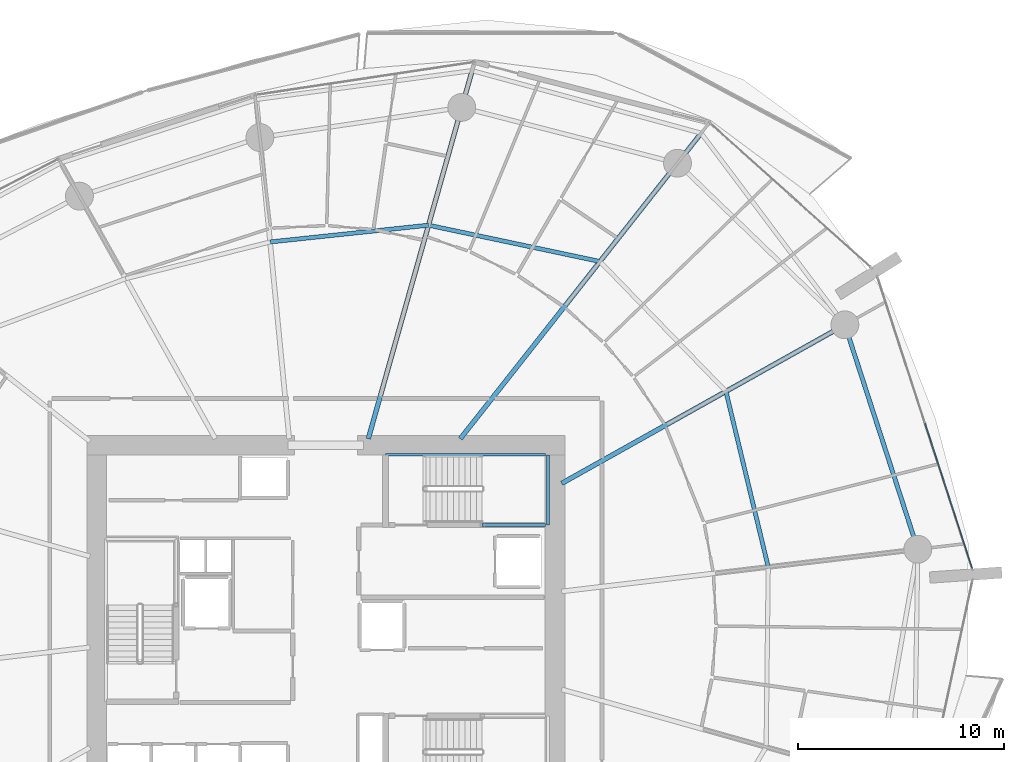
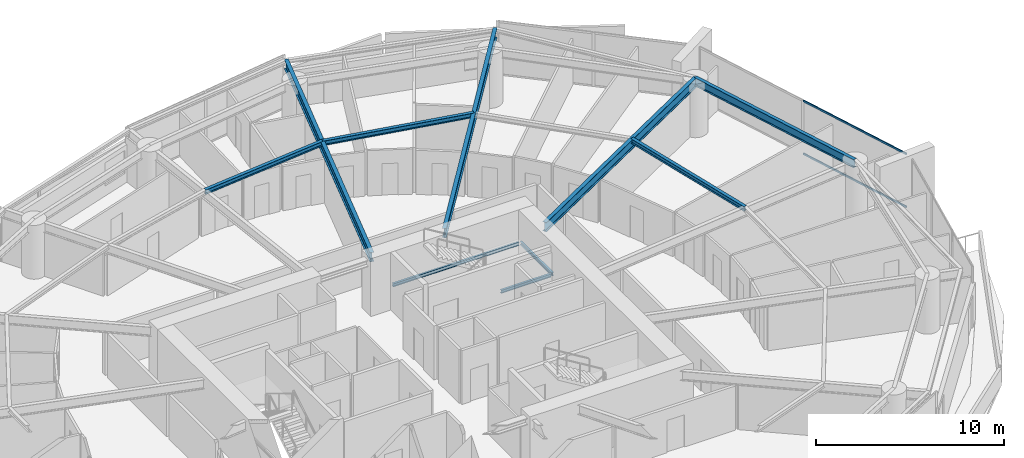
# One storey, part 14 of 31: 10 beams, 2 members, 1 element without a shape of its own.
"""IFC4 building model written with IfcOpenShell, lengths in metres."""

from ifc_helpers import new_model, si_unit, direction, frame, origin, origin_2d, place, context, subcontext, project, spatial, rectangle, i_section, extrude, material, layer, layer_set, material_profile, profile_set, type_object, element, aggregate, save


model = new_model("IFC4")

# Units and contexts
model_context = context("Model", 3, precision=1e-05, world=origin(), true_north=direction((0.0, 1.0)))
body_context = subcontext(model_context, "Body", "Model", "MODEL_VIEW")
ifc_project = project(units=[si_unit("LENGTHUNIT", "METRE"), si_unit("AREAUNIT", "SQUARE_METRE"), si_unit("VOLUMEUNIT", "CUBIC_METRE"), si_unit("PLANEANGLEUNIT", "RADIAN"), si_unit("MASSUNIT", "GRAM", prefix="KILO")], contexts=[model_context])

# Site, building, storey
site_placement = place(None, origin())
site = spatial("IfcSite", under=ifc_project, at=site_placement, CompositionType="ELEMENT")
building_placement = place(site_placement, origin())
building = spatial("IfcBuilding", under=site, at=building_placement, Name="Kazma Halo Residences", CompositionType="ELEMENT")
storey_placement = place(building_placement, frame((0.0, 0.0, 45.14990234375)))
storey = spatial("IfcBuildingStorey", under=building, at=storey_placement, Name="L10", CompositionType="ELEMENT", Elevation=45.14990234375)

# Beams
ifc_material_1 = material(Name="Steel S355", Category="steel")
ifc_material_profile_1 = material_profile(ifc_material_1, i_section(OverallWidth=0.22802734375, OverallDepth=0.60791015625, WebThickness=0.01123046875, FlangeThickness=0.017333984375, FilletRadius=0.01806640625, at=origin_2d()), Name="W610x113")
ifc_profile_set_1 = profile_set([ifc_material_profile_1], Name="Steel S355")
beam_type_1 = type_object("IfcBeamType", Name="BM-RAD-W610", PredefinedType="BEAM", material=ifc_profile_set_1)
beam_1_placement = place(storey_placement, frame((59.85009765625, 48.63623046875, 3.196044921875), z_axis=(0.872489859828, 0.48863221803, 0.0), x_axis=(-0.48863221803, 0.872489859828, 0.0)))
element("IfcBeam", 1, at=beam_1_placement, inside=storey, type_object=beam_type_1, Name="L10 radial floor beam 01", PredefinedType="BEAM", context=body_context, shape_type="SweptSolid", body=[
    extrude(i_section(OverallWidth=0.22802734375, OverallDepth=0.60791015625, WebThickness=0.01123046875, FlangeThickness=0.017333984375, FilletRadius=0.01806640625, at=origin_2d()), origin(), (0.0, 0.0, 1.0), 15.71923828125),
])
beam_2_placement = place(storey_placement, frame((54.9375, 50.800048828125, 3.196044921875), z_axis=(0.619092154321, 0.785318345932, 0.0), x_axis=(-0.785318345932, 0.619092154321, 0.0)))
element("IfcBeam", 2, at=beam_2_placement, inside=storey, type_object=beam_type_1, Name="L10 radial floor beam 02", PredefinedType="BEAM", context=body_context, shape_type="SweptSolid", body=[
    extrude(i_section(OverallWidth=0.22802734375, OverallDepth=0.60791015625, WebThickness=0.01123046875, FlangeThickness=0.017333984375, FilletRadius=0.01806640625, at=origin_2d()), origin(), (0.0, 0.0, 1.0), 18.84375),
])
beam_3_placement = place(storey_placement, frame((50.48193359375, 50.800048828125, 3.196044921875), z_axis=(0.271442010129, 0.962454796412, 0.0), x_axis=(-0.962454796412, 0.271442010129, 0.0)))
element("IfcBeam", 3, at=beam_3_placement, inside=storey, type_object=beam_type_1, Name="L10 radial floor beam 03", PredefinedType="BEAM", context=body_context, shape_type="SweptSolid", body=[
    extrude(i_section(OverallWidth=0.22802734375, OverallDepth=0.60791015625, WebThickness=0.01123046875, FlangeThickness=0.017333984375, FilletRadius=0.01806640625, at=origin_2d()), origin(), (0.0, 0.0, 1.0), 18.525390625),
])
ifc_material_profile_2 = material_profile(ifc_material_1, i_section(OverallWidth=0.202880859375, OverallDepth=0.302978515625, WebThickness=0.007568359375, FlangeThickness=0.01318359375, FilletRadius=0.013916015625, at=origin_2d()), Name="W310x60")
ifc_profile_set_2 = profile_set([ifc_material_profile_2], Name="Steel S355")
beam_type_2 = type_object("IfcBeamType", Name="BM-SEC-W310A", PredefinedType="JOIST", material=ifc_profile_set_2)
beam_4_placement = place(storey_placement, frame((61.703857421875, 59.383056640625, 3.3486328125), z_axis=(-0.97831665719, 0.207114746615, 0.0), x_axis=(-0.207114746615, -0.97831665719, 0.0)))
element("IfcBeam", 4, at=beam_4_placement, inside=storey, type_object=beam_type_2, Name="L10 circumferential floor joist 02", PredefinedType="JOIST", context=body_context, shape_type="SweptSolid", body=[
    extrude(i_section(OverallWidth=0.202880859375, OverallDepth=0.302978515625, WebThickness=0.007568359375, FlangeThickness=0.01318359375, FilletRadius=0.013916015625, at=origin_2d()), origin(), (0.0, 0.0, 1.0), 8.489501953125),
])
beam_5_placement = place(storey_placement, frame((53.3984375, 61.141357421875, 3.3486328125), z_axis=(-0.994456114777, -0.10515244069, 0.0), x_axis=(0.10515244069, -0.994456114777, 0.0)))
element("IfcBeam", 5, at=beam_5_placement, inside=storey, type_object=beam_type_2, Name="L10 circumferential floor joist 03", PredefinedType="JOIST", context=body_context, shape_type="SweptSolid", body=[
    extrude(i_section(OverallWidth=0.202880859375, OverallDepth=0.302978515625, WebThickness=0.007568359375, FlangeThickness=0.01318359375, FilletRadius=0.013916015625, at=origin_2d()), origin(), (0.0, 0.0, 1.0), 7.717529296875),
])
beam_6_placement = place(storey_placement, frame((69.853759765625, 44.586669921875, 3.3486328125), z_axis=(-0.234233116199, 0.972180460242, 0.0), x_axis=(-0.972180460242, -0.234233116199, 0.0)))
element("IfcBeam", 6, at=beam_6_placement, inside=storey, type_object=beam_type_2, Name="L10 circumferential floor joist 16", PredefinedType="JOIST", context=body_context, shape_type="SweptSolid", body=[
    extrude(i_section(OverallWidth=0.202880859375, OverallDepth=0.302978515625, WebThickness=0.007568359375, FlangeThickness=0.01318359375, FilletRadius=0.013916015625, at=origin_2d()), origin(), (0.0, 0.0, 1.0), 8.748046875),
])
ifc_material_profile_3 = material_profile(ifc_material_1, i_section(OverallWidth=0.208984375, OverallDepth=0.532958984375, WebThickness=0.01025390625, FlangeThickness=0.015625, FilletRadius=0.01611328125, at=origin_2d()), Name="W530x92")
ifc_profile_set_3 = profile_set([ifc_material_profile_3], Name="Steel S355")
beam_type_3 = type_object("IfcBeamType", Name="BM-SPN-W530", PredefinedType="BEAM", material=ifc_profile_set_3)
beam_7_placement = place(storey_placement, frame((77.097900390625, 45.444091796875, 3.233642578125), z_axis=(-0.309024264898, 0.951054153928, 0.0), x_axis=(-0.951054153928, -0.309024264898, 0.0)))
element("IfcBeam", 7, at=beam_7_placement, inside=storey, type_object=beam_type_3, Name="L10 perimeter ring beam 16", PredefinedType="BEAM", context=body_context, shape_type="SweptSolid", body=[
    extrude(i_section(OverallWidth=0.208984375, OverallDepth=0.532958984375, WebThickness=0.01025390625, FlangeThickness=0.015625, FilletRadius=0.01611328125, at=origin_2d()), origin(), (0.0, 0.0, 1.0), 11.4326171875),
])
ifc_material_profile_4 = material_profile(ifc_material_1, i_section(OverallWidth=0.133056640625, OverallDepth=0.20703125, WebThickness=0.005859375, FlangeThickness=0.00830078125, FilletRadius=0.010009765625, at=origin_2d()), Name="W200x26.6")
ifc_profile_set_4 = profile_set([ifc_material_profile_4], Name="Steel S355")
beam_type_4 = type_object("IfcBeamType", Name="BM-TRIM-W200", PredefinedType="BEAM", material=ifc_profile_set_4)
beam_8_placement = place(storey_placement, frame((51.31005859375, 50.02001953125, 1.570068359375), z_axis=(1.0, 0.0, 0.0), x_axis=(0.0, 1.0, 0.0)))
element("IfcBeam", 8, at=beam_8_placement, inside=storey, type_object=beam_type_4, Name="L10 ST-02 landing north wall ledger", PredefinedType="BEAM", context=body_context, shape_type="SweptSolid", body=[
    extrude(i_section(OverallWidth=0.133056640625, OverallDepth=0.20703125, WebThickness=0.005859375, FlangeThickness=0.00830078125, FilletRadius=0.010009765625, at=origin_2d()), origin(), (0.0, 0.0, 1.0), 7.760009765625),
])
beam_9_placement = place(storey_placement, frame((56.0, 46.6201171875, 1.570068359375), z_axis=(1.0, 0.0, 0.0), x_axis=(0.0, 1.0, 0.0)))
element("IfcBeam", 9, at=beam_9_placement, inside=storey, type_object=beam_type_4, Name="L10 ST-02 landing south wall ledger", PredefinedType="BEAM", context=body_context, shape_type="SweptSolid", body=[
    extrude(i_section(OverallWidth=0.133056640625, OverallDepth=0.20703125, WebThickness=0.005859375, FlangeThickness=0.00830078125, FilletRadius=0.010009765625, at=origin_2d()), origin(), (0.0, 0.0, 1.0), 3.070068359375),
])
beam_10_placement = place(storey_placement, frame((59.18994140625, 46.6201171875, 1.570068359375), z_axis=(0.0, 1.0, 0.0), x_axis=(-1.0, 0.0, 0.0)))
element("IfcBeam", 10, at=beam_10_placement, inside=storey, type_object=beam_type_4, Name="L10 ST-02 landing end wall ledger", PredefinedType="BEAM", context=body_context, shape_type="SweptSolid", body=[
    extrude(i_section(OverallWidth=0.133056640625, OverallDepth=0.20703125, WebThickness=0.005859375, FlangeThickness=0.00830078125, FilletRadius=0.010009765625, at=origin_2d()), origin(), (0.0, 0.0, 1.0), 3.39990234375),
])

# Curtain wall, members
ifc_material_2 = material(Name="Aluminium AW-6063 T6 and Triple-Silver Low-E Glass", Category="aluminium")
ifc_layer = layer(ifc_material_2, 0.159912109375)
ifc_layer_set = layer_set([ifc_layer], Name="Aluminium AW-6063 T6 and Triple-Silver Low-E Glass")
curtain_wall_type = type_object("IfcCurtainWallType", Name="CW-SYS-2", PredefinedType="NOTDEFINED", material=ifc_layer_set)
curtain_wall_placement = place(storey_placement, origin())
curtain_wall = element("IfcCurtainWall", 11, at=curtain_wall_placement, inside=storey, type_object=curtain_wall_type, Name="L10 unitised curtain wall B16", PredefinedType="NOTDEFINED")
ifc_material_3 = material(Name="Aluminium AW-6063 T6", Category="aluminium")
ifc_material_profile_5 = material_profile(ifc_material_3, rectangle(XDim=0.06005859375, YDim=0.1201171875, at=origin_2d()), Name="CWT-60x120")
ifc_profile_set_5 = profile_set([ifc_material_profile_5], Name="Aluminium AW-6063 T6")
member_type = type_object("IfcMemberType", Name="CW-SYS-2-TRN", PredefinedType="USERDEFINED", material=ifc_profile_set_5)
member_1_placement = place(storey_placement, frame((79.72900390625, 44.52783203125, 0.030029296875), z_axis=(-0.309034393795, 0.951050862705, 0.0), x_axis=(-0.951050862705, -0.309034393795, 0.0)))
member_1 = element("IfcMember", 12, at=member_1_placement, type_object=member_type, Name="CWS-2 transom 1.1", ObjectType="TRANSOM", PredefinedType="USERDEFINED", context=body_context, shape_type="SweptSolid", body=[
    extrude(rectangle(XDim=0.06005859375, YDim=0.1201171875, at=origin_2d()), origin(), (0.0, 0.0, 1.0), 7.370849609375),
])
member_2_placement = place(storey_placement, frame((79.72900390625, 44.52783203125, 3.47021484375), z_axis=(-0.309034393795, 0.951050862705, 0.0), x_axis=(-0.951050862705, -0.309034393795, 0.0)))
member_2 = element("IfcMember", 13, at=member_2_placement, type_object=member_type, Name="CWS-2 transom 1.2", ObjectType="TRANSOM", PredefinedType="USERDEFINED", context=body_context, shape_type="SweptSolid", body=[
    extrude(rectangle(XDim=0.06005859375, YDim=0.1201171875, at=origin_2d()), origin(), (0.0, 0.0, 1.0), 7.370849609375),
])
aggregate(curtain_wall, [member_1, member_2])

save(model, "model.ifc")
